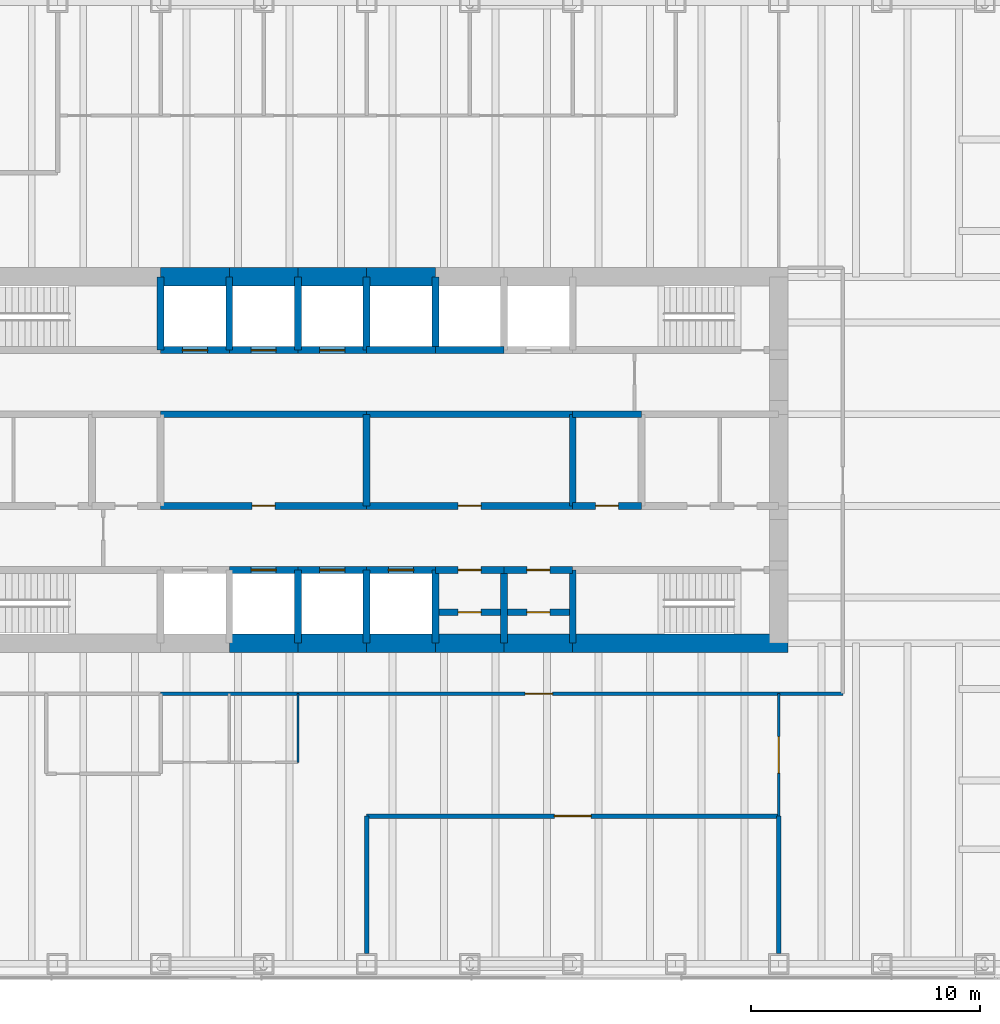
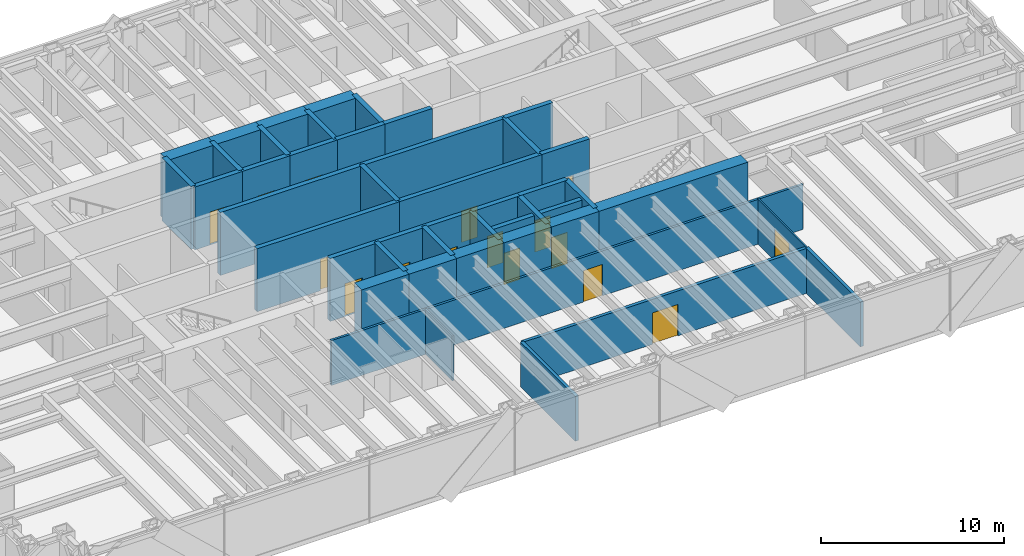
# One storey, part 12 of 15: 46 walls, 16 doors, 16 openings.
"""IFC4 building model written with IfcOpenShell, lengths in metres."""

from ifc_helpers import new_model, si_unit, direction, frame, frame_2d, origin, place, context, subcontext, project, spatial, rectangle, extrude, material, layer, layer_set, type_object, element, fill, save


model = new_model("IFC4")

# Units and contexts
model_context = context("Model", 3, precision=1e-05, world=origin(), true_north=direction((0.0, 1.0)))
body_context = subcontext(model_context, "Body", "Model", "MODEL_VIEW")
ifc_project = project(units=[si_unit("LENGTHUNIT", "METRE"), si_unit("AREAUNIT", "SQUARE_METRE"), si_unit("VOLUMEUNIT", "CUBIC_METRE"), si_unit("PLANEANGLEUNIT", "RADIAN"), si_unit("MASSUNIT", "GRAM", prefix="KILO")], contexts=[model_context])

# Site, building, storey
site_placement = place(None, origin())
site = spatial("IfcSite", under=ifc_project, at=site_placement, CompositionType="ELEMENT")
building_placement = place(site_placement, origin())
building = spatial("IfcBuilding", under=site, at=building_placement, Name="Rheinbord Bourse Tower", CompositionType="ELEMENT")
storey_placement = place(building_placement, frame((0.0, 0.0, 236.199951171875)))
storey = spatial("IfcBuildingStorey", under=building, at=storey_placement, Name="L53", CompositionType="ELEMENT", Elevation=236.199951171875)

# Wall, opening, door
ifc_material_1 = material(Name="Acoustic gypsum board partition", Category="gypsum board")
ifc_layer_1 = layer(ifc_material_1, 0.199951171875)
ifc_layer_set_1 = layer_set([ifc_layer_1], Name="ACOUSTIC PARTITION 200")
wall_type_1 = type_object("IfcWallType", Name="ACOUSTIC PARTITION 200", PredefinedType="PARTITIONING", material=ifc_layer_set_1)
wall_1_placement = place(storey_placement, frame((36.0, 8.449951171875, 0.0), z_axis=(0.0, 0.0, 1.0), x_axis=(1.0, 0.0, 0.0)))
wall_1 = element("IfcWall", 1, at=wall_1_placement, inside=storey, type_object=wall_type_1, Name="Partition L53-01", PredefinedType="PARTITIONING", context=body_context, shape_type="SweptSolid", body=[
    extrude(rectangle(XDim=18.0, YDim=0.199951171875, at=frame_2d((9.0, 0.0))), origin(), (0.0, 0.0, 1.0), 3.0),
])
opening_1_placement = place(wall_1_placement, frame((8.199951171875, 0.0, 0.0)))
opening_1 = element("IfcOpeningElement", 2, at=opening_1_placement, cuts=wall_1, Name="Opening 53D01", PredefinedType="OPENING", context=body_context, shape_type="SweptSolid", body=[
    extrude(rectangle(XDim=1.60009765625, YDim=2.10009765625, at=frame_2d((0.800048828125, 1.050048828125))), frame((0.0, 0.10986328125, 0.0), z_axis=(0.0, -1.0, 0.0), x_axis=(1.0, 0.0, 0.0)), (0.0, 0.0, 1.0), 0.219970703125),
])
ifc_material_2 = material(Name="Timber door", Category="wood")
door_type_1 = type_object("IfcDoorType", Name="DOUBLE ROOM DOOR 1600", OperationType="DOUBLE_DOOR_DOUBLE_SWING", PredefinedType="DOOR", material=ifc_material_2)
door_1_placement = place(opening_1_placement, origin())
door_1 = element("IfcDoor", 3, at=door_1_placement, inside=storey, type_object=door_type_1, Name="Dealing room door L53", OperationType="SINGLE_SWING_LEFT", OverallHeight=2.10009765625, OverallWidth=1.60009765625, PredefinedType="DOOR", context=body_context, shape_type="SweptSolid", body=[
    extrude(rectangle(XDim=1.60009765625, YDim=2.10009765625, at=frame_2d((0.800048828125, 1.050048828125))), frame((0.0, 0.02490234375, 0.0), z_axis=(0.0, -1.0, 0.0), x_axis=(1.0, 0.0, 0.0)), (0.0, 0.0, 1.0), 0.050048828125),
])
fill(opening_1, door_1)

# Walls
for number, where, z_axis, x_axis, name in (
    (4, (36.0, 2.449951171875, 0.0), (0.0, 0.0, 1.0), (0.0, 1.0, 0.0), "Partition L53-32"),
    (5, (54.0, 2.449951171875, 0.0), (0.0, 0.0, 1.0), (0.0, 1.0, 0.0), "Partition L53-37"),
):
    element("IfcWall", number, at=place(storey_placement, frame(where, z_axis=z_axis, x_axis=x_axis)), inside=storey, type_object=wall_type_1, Name=name, PredefinedType="PARTITIONING", context=body_context, shape_type="SweptSolid", body=[
        extrude(rectangle(XDim=6.0, YDim=0.199951171875, at=frame_2d((3.0, 0.0))), origin(), (0.0, 0.0, 1.0), 3.0),
    ])

# Wall, opening, door
ifc_material_3 = material(Name="Concrete C50/60", Category="concrete")
ifc_layer_2 = layer(ifc_material_3, 0.300048828125)
ifc_layer_set_2 = layer_set([ifc_layer_2], Name="CORE INNER WALL 300")
wall_type_2 = type_object("IfcWallType", Name="CORE INNER WALL 300", PredefinedType="SOLIDWALL", material=ifc_layer_set_2)
wall_2_placement = place(storey_placement, frame((30.0, 19.199951171875, 0.0), z_axis=(0.0, 0.0, 1.0), x_axis=(1.0, 0.0, 0.0)))
wall_2 = element("IfcWall", 6, at=wall_2_placement, inside=storey, type_object=wall_type_2, Name="Core wall A3 L53", PredefinedType="SOLIDWALL", context=body_context, shape_type="SweptSolid", body=[
    extrude(rectangle(XDim=3.0, YDim=0.300048828125, at=frame_2d((1.5, 0.0))), origin(), (0.0, 0.0, 1.0), 4.199951171875),
])
opening_2_placement = place(wall_2_placement, frame((0.949951171875, 0.0, 0.0)))
opening_2 = element("IfcOpeningElement", 7, at=opening_2_placement, cuts=wall_2, Name="Opening PC1", PredefinedType="OPENING", context=body_context, shape_type="SweptSolid", body=[
    extrude(rectangle(XDim=1.10009765625, YDim=2.199951171875, at=frame_2d((0.550048828125, 1.10009765625))), frame((0.0, 0.159912109375, 0.0), z_axis=(0.0, -1.0, 0.0), x_axis=(1.0, 0.0, 0.0)), (0.0, 0.0, 1.0), 0.320068359375),
])
ifc_material_4 = material(Name="Steel landing door", Category="steel")
door_type_2 = type_object("IfcDoorType", Name="LIFT LANDING DOOR 1100", OperationType="DOUBLE_DOOR_SLIDING", PredefinedType="USERDEFINED", material=ifc_material_4)
door_2_placement = place(opening_2_placement, origin())
door_2 = element("IfcDoor", 8, at=door_2_placement, inside=storey, type_object=door_type_2, Name="Lift landing door PC1 L53", ObjectType="LIFT LANDING DOOR", OperationType="DOUBLE_DOOR_SLIDING", OverallHeight=2.199951171875, OverallWidth=1.10009765625, PredefinedType="USERDEFINED", context=body_context, shape_type="SweptSolid", body=[
    extrude(rectangle(XDim=1.10009765625, YDim=2.199951171875, at=frame_2d((0.550048828125, 1.10009765625))), frame((0.0, 0.02490234375, 0.0), z_axis=(0.0, -1.0, 0.0), x_axis=(1.0, 0.0, 0.0)), (0.0, 0.0, 1.0), 0.050048828125),
])
fill(opening_2, door_2)

wall_3_placement = place(storey_placement, frame((33.0, 19.199951171875, 0.0), z_axis=(0.0, 0.0, 1.0), x_axis=(1.0, 0.0, 0.0)))
wall_3 = element("IfcWall", 9, at=wall_3_placement, inside=storey, type_object=wall_type_2, Name="Core wall A4 L53", PredefinedType="SOLIDWALL", context=body_context, shape_type="SweptSolid", body=[
    extrude(rectangle(XDim=3.0, YDim=0.300048828125, at=frame_2d((1.5, 0.0))), origin(), (0.0, 0.0, 1.0), 4.199951171875),
])
opening_3_placement = place(wall_3_placement, frame((0.949951171875, 0.0, 0.0)))
opening_3 = element("IfcOpeningElement", 10, at=opening_3_placement, cuts=wall_3, Name="Opening PC2", PredefinedType="OPENING", context=body_context, shape_type="SweptSolid", body=[
    extrude(rectangle(XDim=1.10009765625, YDim=2.199951171875, at=frame_2d((0.550048828125, 1.10009765625))), frame((0.0, 0.159912109375, 0.0), z_axis=(0.0, -1.0, 0.0), x_axis=(1.0, 0.0, 0.0)), (0.0, 0.0, 1.0), 0.320068359375),
])
door_3_placement = place(opening_3_placement, origin())
door_3 = element("IfcDoor", 11, at=door_3_placement, inside=storey, type_object=door_type_2, Name="Lift landing door PC2 L53", ObjectType="LIFT LANDING DOOR", OperationType="DOUBLE_DOOR_SLIDING", OverallHeight=2.199951171875, OverallWidth=1.10009765625, PredefinedType="USERDEFINED", context=body_context, shape_type="SweptSolid", body=[
    extrude(rectangle(XDim=1.10009765625, YDim=2.199951171875, at=frame_2d((0.550048828125, 1.10009765625))), frame((0.0, 0.02490234375, 0.0), z_axis=(0.0, -1.0, 0.0), x_axis=(1.0, 0.0, 0.0)), (0.0, 0.0, 1.0), 0.050048828125),
])
fill(opening_3, door_3)

wall_4_placement = place(storey_placement, frame((36.0, 19.199951171875, 0.0), z_axis=(0.0, 0.0, 1.0), x_axis=(1.0, 0.0, 0.0)))
wall_4 = element("IfcWall", 12, at=wall_4_placement, inside=storey, type_object=wall_type_2, Name="Core wall A5 L53", PredefinedType="SOLIDWALL", context=body_context, shape_type="SweptSolid", body=[
    extrude(rectangle(XDim=3.0, YDim=0.300048828125, at=frame_2d((1.5, 0.0))), origin(), (0.0, 0.0, 1.0), 4.199951171875),
])
opening_4_placement = place(wall_4_placement, frame((0.949951171875, 0.0, 0.0)))
opening_4 = element("IfcOpeningElement", 13, at=opening_4_placement, cuts=wall_4, Name="Opening PC3", PredefinedType="OPENING", context=body_context, shape_type="SweptSolid", body=[
    extrude(rectangle(XDim=1.10009765625, YDim=2.199951171875, at=frame_2d((0.550048828125, 1.10009765625))), frame((0.0, 0.159912109375, 0.0), z_axis=(0.0, -1.0, 0.0), x_axis=(1.0, 0.0, 0.0)), (0.0, 0.0, 1.0), 0.320068359375),
])
door_4_placement = place(opening_4_placement, origin())
door_4 = element("IfcDoor", 14, at=door_4_placement, inside=storey, type_object=door_type_2, Name="Lift landing door PC3 L53", ObjectType="LIFT LANDING DOOR", OperationType="DOUBLE_DOOR_SLIDING", OverallHeight=2.199951171875, OverallWidth=1.10009765625, PredefinedType="USERDEFINED", context=body_context, shape_type="SweptSolid", body=[
    extrude(rectangle(XDim=1.10009765625, YDim=2.199951171875, at=frame_2d((0.550048828125, 1.10009765625))), frame((0.0, 0.02490234375, 0.0), z_axis=(0.0, -1.0, 0.0), x_axis=(1.0, 0.0, 0.0)), (0.0, 0.0, 1.0), 0.050048828125),
])
fill(opening_4, door_4)

wall_5_placement = place(storey_placement, frame((39.0, 19.199951171875, 0.0), z_axis=(0.0, 0.0, 1.0), x_axis=(1.0, 0.0, 0.0)))
wall_5 = element("IfcWall", 15, at=wall_5_placement, inside=storey, type_object=wall_type_2, Name="Core wall A6 L53", PredefinedType="SOLIDWALL", context=body_context, shape_type="SweptSolid", body=[
    extrude(rectangle(XDim=3.0, YDim=0.300048828125, at=frame_2d((1.5, 0.0))), origin(), (0.0, 0.0, 1.0), 4.199951171875),
])
opening_5_placement = place(wall_5_placement, frame((1.0, 0.0, 0.0)))
opening_5 = element("IfcOpeningElement", 16, at=opening_5_placement, cuts=wall_5, Name="Opening 53R8", PredefinedType="OPENING", context=body_context, shape_type="SweptSolid", body=[
    extrude(rectangle(XDim=1.0, YDim=2.10009765625, at=frame_2d((0.5, 1.050048828125))), frame((0.0, 0.159912109375, 0.0), z_axis=(0.0, -1.0, 0.0), x_axis=(1.0, 0.0, 0.0)), (0.0, 0.0, 1.0), 0.320068359375),
])
ifc_material_5 = material(Name="Steel door", Category="steel")
door_type_3 = type_object("IfcDoorType", Name="DOOR 1000 EI30", OperationType="SINGLE_SWING_LEFT", PredefinedType="DOOR", material=ifc_material_5)
door_5_placement = place(opening_5_placement, origin())
door_5 = element("IfcDoor", 17, at=door_5_placement, inside=storey, type_object=door_type_3, Name="Stationery store door L53", OperationType="SINGLE_SWING_LEFT", OverallHeight=2.10009765625, OverallWidth=1.0, PredefinedType="DOOR", context=body_context, shape_type="SweptSolid", body=[
    extrude(rectangle(XDim=1.0, YDim=2.10009765625, at=frame_2d((0.5, 1.050048828125))), frame((0.0, 0.02490234375, 0.0), z_axis=(0.0, -1.0, 0.0), x_axis=(1.0, 0.0, 0.0)), (0.0, 0.0, 1.0), 0.050048828125),
])
fill(opening_5, door_5)

wall_6_placement = place(storey_placement, frame((42.0, 19.199951171875, 0.0), z_axis=(0.0, 0.0, 1.0), x_axis=(1.0, 0.0, 0.0)))
wall_6 = element("IfcWall", 18, at=wall_6_placement, inside=storey, type_object=wall_type_2, Name="Core wall A7 L53", PredefinedType="SOLIDWALL", context=body_context, shape_type="SweptSolid", body=[
    extrude(rectangle(XDim=3.0, YDim=0.300048828125, at=frame_2d((1.5, 0.0))), origin(), (0.0, 0.0, 1.0), 4.199951171875),
])
opening_6_placement = place(wall_6_placement, frame((1.0, 0.0, 0.0)))
opening_6 = element("IfcOpeningElement", 19, at=opening_6_placement, cuts=wall_6, Name="Opening 53R9", PredefinedType="OPENING", context=body_context, shape_type="SweptSolid", body=[
    extrude(rectangle(XDim=1.0, YDim=2.10009765625, at=frame_2d((0.5, 1.050048828125))), frame((0.0, 0.159912109375, 0.0), z_axis=(0.0, -1.0, 0.0), x_axis=(1.0, 0.0, 0.0)), (0.0, 0.0, 1.0), 0.320068359375),
])
door_6_placement = place(opening_6_placement, origin())
door_6 = element("IfcDoor", 20, at=door_6_placement, inside=storey, type_object=door_type_3, Name="Supplies store door L53", OperationType="SINGLE_SWING_LEFT", OverallHeight=2.10009765625, OverallWidth=1.0, PredefinedType="DOOR", context=body_context, shape_type="SweptSolid", body=[
    extrude(rectangle(XDim=1.0, YDim=2.10009765625, at=frame_2d((0.5, 1.050048828125))), frame((0.0, 0.02490234375, 0.0), z_axis=(0.0, -1.0, 0.0), x_axis=(1.0, 0.0, 0.0)), (0.0, 0.0, 1.0), 0.050048828125),
])
fill(opening_6, door_6)

wall_7_placement = place(storey_placement, frame((27.0, 28.800048828125, 0.0), z_axis=(0.0, 0.0, 1.0), x_axis=(1.0, 0.0, 0.0)))
wall_7 = element("IfcWall", 21, at=wall_7_placement, inside=storey, type_object=wall_type_2, Name="Core wall B2 L53", PredefinedType="SOLIDWALL", context=body_context, shape_type="SweptSolid", body=[
    extrude(rectangle(XDim=3.0, YDim=0.300048828125, at=frame_2d((1.5, 0.0))), origin(), (0.0, 0.0, 1.0), 4.199951171875),
])
opening_7_placement = place(wall_7_placement, frame((0.949951171875, 0.0, 0.0)))
opening_7 = element("IfcOpeningElement", 22, at=opening_7_placement, cuts=wall_7, Name="Opening GL1", PredefinedType="OPENING", context=body_context, shape_type="SweptSolid", body=[
    extrude(rectangle(XDim=1.10009765625, YDim=2.199951171875, at=frame_2d((0.550048828125, 1.10009765625))), frame((0.0, 0.159912109375, 0.0), z_axis=(0.0, -1.0, 0.0), x_axis=(1.0, 0.0, 0.0)), (0.0, 0.0, 1.0), 0.320068359375),
])
door_7_placement = place(opening_7_placement, origin())
door_7 = element("IfcDoor", 23, at=door_7_placement, inside=storey, type_object=door_type_2, Name="Lift landing door GL1 L53", ObjectType="LIFT LANDING DOOR", OperationType="DOUBLE_DOOR_SLIDING", OverallHeight=2.199951171875, OverallWidth=1.10009765625, PredefinedType="USERDEFINED", context=body_context, shape_type="SweptSolid", body=[
    extrude(rectangle(XDim=1.10009765625, YDim=2.199951171875, at=frame_2d((0.550048828125, 1.10009765625))), frame((0.0, 0.02490234375, 0.0), z_axis=(0.0, -1.0, 0.0), x_axis=(1.0, 0.0, 0.0)), (0.0, 0.0, 1.0), 0.050048828125),
])
fill(opening_7, door_7)

wall_8_placement = place(storey_placement, frame((30.0, 28.800048828125, 0.0), z_axis=(0.0, 0.0, 1.0), x_axis=(1.0, 0.0, 0.0)))
wall_8 = element("IfcWall", 24, at=wall_8_placement, inside=storey, type_object=wall_type_2, Name="Core wall B3 L53", PredefinedType="SOLIDWALL", context=body_context, shape_type="SweptSolid", body=[
    extrude(rectangle(XDim=3.0, YDim=0.300048828125, at=frame_2d((1.5, 0.0))), origin(), (0.0, 0.0, 1.0), 4.199951171875),
])
opening_8_placement = place(wall_8_placement, frame((0.949951171875, 0.0, 0.0)))
opening_8 = element("IfcOpeningElement", 25, at=opening_8_placement, cuts=wall_8, Name="Opening PC4", PredefinedType="OPENING", context=body_context, shape_type="SweptSolid", body=[
    extrude(rectangle(XDim=1.10009765625, YDim=2.199951171875, at=frame_2d((0.550048828125, 1.10009765625))), frame((0.0, 0.159912109375, 0.0), z_axis=(0.0, -1.0, 0.0), x_axis=(1.0, 0.0, 0.0)), (0.0, 0.0, 1.0), 0.320068359375),
])
door_8_placement = place(opening_8_placement, origin())
door_8 = element("IfcDoor", 26, at=door_8_placement, inside=storey, type_object=door_type_2, Name="Lift landing door PC4 L53", ObjectType="LIFT LANDING DOOR", OperationType="DOUBLE_DOOR_SLIDING", OverallHeight=2.199951171875, OverallWidth=1.10009765625, PredefinedType="USERDEFINED", context=body_context, shape_type="SweptSolid", body=[
    extrude(rectangle(XDim=1.10009765625, YDim=2.199951171875, at=frame_2d((0.550048828125, 1.10009765625))), frame((0.0, 0.02490234375, 0.0), z_axis=(0.0, -1.0, 0.0), x_axis=(1.0, 0.0, 0.0)), (0.0, 0.0, 1.0), 0.050048828125),
])
fill(opening_8, door_8)

wall_9_placement = place(storey_placement, frame((33.0, 28.800048828125, 0.0), z_axis=(0.0, 0.0, 1.0), x_axis=(1.0, 0.0, 0.0)))
wall_9 = element("IfcWall", 27, at=wall_9_placement, inside=storey, type_object=wall_type_2, Name="Core wall B4 L53", PredefinedType="SOLIDWALL", context=body_context, shape_type="SweptSolid", body=[
    extrude(rectangle(XDim=3.0, YDim=0.300048828125, at=frame_2d((1.5, 0.0))), origin(), (0.0, 0.0, 1.0), 4.199951171875),
])
opening_9_placement = place(wall_9_placement, frame((0.949951171875, 0.0, 0.0)))
opening_9 = element("IfcOpeningElement", 28, at=opening_9_placement, cuts=wall_9, Name="Opening PC5", PredefinedType="OPENING", context=body_context, shape_type="SweptSolid", body=[
    extrude(rectangle(XDim=1.10009765625, YDim=2.199951171875, at=frame_2d((0.550048828125, 1.10009765625))), frame((0.0, 0.159912109375, 0.0), z_axis=(0.0, -1.0, 0.0), x_axis=(1.0, 0.0, 0.0)), (0.0, 0.0, 1.0), 0.320068359375),
])
door_9_placement = place(opening_9_placement, origin())
door_9 = element("IfcDoor", 29, at=door_9_placement, inside=storey, type_object=door_type_2, Name="Lift landing door PC5 L53", ObjectType="LIFT LANDING DOOR", OperationType="DOUBLE_DOOR_SLIDING", OverallHeight=2.199951171875, OverallWidth=1.10009765625, PredefinedType="USERDEFINED", context=body_context, shape_type="SweptSolid", body=[
    extrude(rectangle(XDim=1.10009765625, YDim=2.199951171875, at=frame_2d((0.550048828125, 1.10009765625))), frame((0.0, 0.02490234375, 0.0), z_axis=(0.0, -1.0, 0.0), x_axis=(1.0, 0.0, 0.0)), (0.0, 0.0, 1.0), 0.050048828125),
])
fill(opening_9, door_9)

# Walls
for number, where, z_axis, x_axis, name in (
    (30, (36.0, 28.800048828125, 0.0), (0.0, 0.0, 1.0), (1.0, 0.0, 0.0), "Core wall B5 L53"),
    (31, (39.0, 28.800048828125, 0.0), (0.0, 0.0, 1.0), (1.0, 0.0, 0.0), "Core wall B6 L53"),
):
    element("IfcWall", number, at=place(storey_placement, frame(where, z_axis=z_axis, x_axis=x_axis)), inside=storey, type_object=wall_type_2, Name=name, PredefinedType="SOLIDWALL", context=body_context, shape_type="SweptSolid", body=[
        extrude(rectangle(XDim=3.0, YDim=0.300048828125, at=frame_2d((1.5, 0.0))), origin(), (0.0, 0.0, 1.0), 4.199951171875),
    ])

# Wall, opening, door
wall_10_placement = place(storey_placement, frame((27.0, 22.0, 0.0), z_axis=(0.0, 0.0, 1.0), x_axis=(1.0, 0.0, 0.0)))
wall_10 = element("IfcWall", 32, at=wall_10_placement, inside=storey, type_object=wall_type_2, Name="Core wall C3 L53", PredefinedType="SOLIDWALL", context=body_context, shape_type="SweptSolid", body=[
    extrude(rectangle(XDim=9.0, YDim=0.300048828125, at=frame_2d((4.5, 0.0))), origin(), (0.0, 0.0, 1.0), 4.199951171875),
])
opening_10_placement = place(wall_10_placement, frame((4.0, 0.0, 0.0)))
opening_10 = element("IfcOpeningElement", 33, at=opening_10_placement, cuts=wall_10, Name="Opening 53R3", PredefinedType="OPENING", context=body_context, shape_type="SweptSolid", body=[
    extrude(rectangle(XDim=1.0, YDim=2.10009765625, at=frame_2d((0.5, 1.050048828125))), frame((0.0, 0.159912109375, 0.0), z_axis=(0.0, -1.0, 0.0), x_axis=(1.0, 0.0, 0.0)), (0.0, 0.0, 1.0), 0.320068359375),
])
door_10_placement = place(opening_10_placement, origin())
door_10 = element("IfcDoor", 34, at=door_10_placement, inside=storey, type_object=door_type_3, Name="Riser door L53", OperationType="SINGLE_SWING_LEFT", OverallHeight=2.10009765625, OverallWidth=1.0, PredefinedType="DOOR", context=body_context, shape_type="SweptSolid", body=[
    extrude(rectangle(XDim=1.0, YDim=2.10009765625, at=frame_2d((0.5, 1.050048828125))), frame((0.0, 0.02490234375, 0.0), z_axis=(0.0, -1.0, 0.0), x_axis=(1.0, 0.0, 0.0)), (0.0, 0.0, 1.0), 0.050048828125),
])
fill(opening_10, door_10)

wall_11_placement = place(storey_placement, frame((36.0, 22.0, 0.0), z_axis=(0.0, 0.0, 1.0), x_axis=(1.0, 0.0, 0.0)))
wall_11 = element("IfcWall", 35, at=wall_11_placement, inside=storey, type_object=wall_type_2, Name="Core wall C4 L53", PredefinedType="SOLIDWALL", context=body_context, shape_type="SweptSolid", body=[
    extrude(rectangle(XDim=9.0, YDim=0.300048828125, at=frame_2d((4.5, 0.0))), origin(), (0.0, 0.0, 1.0), 4.199951171875),
])
opening_11_placement = place(wall_11_placement, frame((4.0, 0.0, 0.0)))
opening_11 = element("IfcOpeningElement", 36, at=opening_11_placement, cuts=wall_11, Name="Opening 53R4", PredefinedType="OPENING", context=body_context, shape_type="SweptSolid", body=[
    extrude(rectangle(XDim=1.0, YDim=2.10009765625, at=frame_2d((0.5, 1.050048828125))), frame((0.0, 0.159912109375, 0.0), z_axis=(0.0, -1.0, 0.0), x_axis=(1.0, 0.0, 0.0)), (0.0, 0.0, 1.0), 0.320068359375),
])
door_11_placement = place(opening_11_placement, origin())
door_11 = element("IfcDoor", 37, at=door_11_placement, inside=storey, type_object=door_type_3, Name="Store door L53", OperationType="SINGLE_SWING_LEFT", OverallHeight=2.10009765625, OverallWidth=1.0, PredefinedType="DOOR", context=body_context, shape_type="SweptSolid", body=[
    extrude(rectangle(XDim=1.0, YDim=2.10009765625, at=frame_2d((0.5, 1.050048828125))), frame((0.0, 0.02490234375, 0.0), z_axis=(0.0, -1.0, 0.0), x_axis=(1.0, 0.0, 0.0)), (0.0, 0.0, 1.0), 0.050048828125),
])
fill(opening_11, door_11)

wall_12_placement = place(storey_placement, frame((45.0, 22.0, 0.0), z_axis=(0.0, 0.0, 1.0), x_axis=(1.0, 0.0, 0.0)))
wall_12 = element("IfcWall", 38, at=wall_12_placement, inside=storey, type_object=wall_type_2, Name="Core wall C5 L53", PredefinedType="SOLIDWALL", context=body_context, shape_type="SweptSolid", body=[
    extrude(rectangle(XDim=3.0, YDim=0.300048828125, at=frame_2d((1.5, 0.0))), origin(), (0.0, 0.0, 1.0), 4.199951171875),
])
opening_12_placement = place(wall_12_placement, frame((1.0, 0.0, 0.0)))
opening_12 = element("IfcOpeningElement", 39, at=opening_12_placement, cuts=wall_12, Name="Opening 53R5", PredefinedType="OPENING", context=body_context, shape_type="SweptSolid", body=[
    extrude(rectangle(XDim=1.0, YDim=2.10009765625, at=frame_2d((0.5, 1.050048828125))), frame((0.0, 0.159912109375, 0.0), z_axis=(0.0, -1.0, 0.0), x_axis=(1.0, 0.0, 0.0)), (0.0, 0.0, 1.0), 0.320068359375),
])
ifc_material_6 = material(Name="Timber door", Category="wood")
door_type_4 = type_object("IfcDoorType", Name="DOOR 1000 WC", OperationType="SINGLE_SWING_LEFT", PredefinedType="DOOR", material=ifc_material_6)
door_12_placement = place(opening_12_placement, origin())
door_12 = element("IfcDoor", 40, at=door_12_placement, inside=storey, type_object=door_type_4, Name="Accessible WC door L53", OperationType="SINGLE_SWING_LEFT", OverallHeight=2.10009765625, OverallWidth=1.0, PredefinedType="DOOR", context=body_context, shape_type="SweptSolid", body=[
    extrude(rectangle(XDim=1.0, YDim=2.10009765625, at=frame_2d((0.5, 1.050048828125))), frame((0.0, 0.02490234375, 0.0), z_axis=(0.0, -1.0, 0.0), x_axis=(1.0, 0.0, 0.0)), (0.0, 0.0, 1.0), 0.050048828125),
])
fill(opening_12, door_12)

# Walls
for number, where, z_axis, x_axis, name in (
    (41, (27.0, 26.0, 0.0), (0.0, 0.0, 1.0), (1.0, 0.0, 0.0), "Core wall D3 L53"),
    (42, (36.0, 26.0, 0.0), (0.0, 0.0, 1.0), (1.0, 0.0, 0.0), "Core wall D4 L53"),
):
    element("IfcWall", number, at=place(storey_placement, frame(where, z_axis=z_axis, x_axis=x_axis)), inside=storey, type_object=wall_type_2, Name=name, PredefinedType="SOLIDWALL", context=body_context, shape_type="SweptSolid", body=[
        extrude(rectangle(XDim=9.0, YDim=0.300048828125, at=frame_2d((4.5, 0.0))), origin(), (0.0, 0.0, 1.0), 4.199951171875),
    ])
wall_13_placement = place(storey_placement, frame((45.0, 26.0, 0.0), z_axis=(0.0, 0.0, 1.0), x_axis=(1.0, 0.0, 0.0)))
element("IfcWall", 43, at=wall_13_placement, inside=storey, type_object=wall_type_2, Name="Core wall D5 L53", PredefinedType="SOLIDWALL", context=body_context, shape_type="SweptSolid", body=[
    extrude(rectangle(XDim=3.0, YDim=0.300048828125, at=frame_2d((1.5, 0.0))), origin(), (0.0, 0.0, 1.0), 4.199951171875),
])
for number, where, z_axis, x_axis, name in (
    (44, (27.0, 28.800048828125, 0.0), (0.0, 0.0, 1.0), (0.0, 1.0, 0.0), "Core wall NX27 L53"),
    (45, (30.0, 28.800048828125, 0.0), (0.0, 0.0, 1.0), (0.0, 1.0, 0.0), "Core wall NX30 L53"),
    (46, (33.0, 16.0, 0.0), (0.0, 0.0, 1.0), (0.0, 1.0, 0.0), "Core wall SX33 L53"),
    (47, (33.0, 28.800048828125, 0.0), (0.0, 0.0, 1.0), (0.0, 1.0, 0.0), "Core wall NX33 L53"),
    (48, (36.0, 16.0, 0.0), (0.0, 0.0, 1.0), (0.0, 1.0, 0.0), "Core wall SX36 L53"),
    (49, (36.0, 28.800048828125, 0.0), (0.0, 0.0, 1.0), (0.0, 1.0, 0.0), "Core wall NX36 L53"),
    (50, (39.0, 16.0, 0.0), (0.0, 0.0, 1.0), (0.0, 1.0, 0.0), "Core wall SX39 L53"),
    (51, (39.0, 28.800048828125, 0.0), (0.0, 0.0, 1.0), (0.0, 1.0, 0.0), "Core wall NX39 L53"),
    (52, (42.0, 16.0, 0.0), (0.0, 0.0, 1.0), (0.0, 1.0, 0.0), "Core wall SX42 L53"),
    (53, (45.0, 16.0, 0.0), (0.0, 0.0, 1.0), (0.0, 1.0, 0.0), "Core wall SX45 L53"),
):
    element("IfcWall", number, at=place(storey_placement, frame(where, z_axis=z_axis, x_axis=x_axis)), inside=storey, type_object=wall_type_2, Name=name, PredefinedType="SOLIDWALL", context=body_context, shape_type="SweptSolid", body=[
        extrude(rectangle(XDim=3.199951171875, YDim=0.300048828125, at=frame_2d((1.60009765625, 0.0))), origin(), (0.0, 0.0, 1.0), 4.199951171875),
    ])
for number, where, z_axis, x_axis, name in (
    (54, (36.0, 22.0, 0.0), (0.0, 0.0, 1.0), (0.0, 1.0, 0.0), "Core wall MX36 L53"),
    (55, (45.0, 22.0, 0.0), (0.0, 0.0, 1.0), (0.0, 1.0, 0.0), "Core wall MX45 L53"),
):
    element("IfcWall", number, at=place(storey_placement, frame(where, z_axis=z_axis, x_axis=x_axis)), inside=storey, type_object=wall_type_2, Name=name, PredefinedType="SOLIDWALL", context=body_context, shape_type="SweptSolid", body=[
        extrude(rectangle(XDim=4.0, YDim=0.300048828125, at=frame_2d((2.0, 0.0))), origin(), (0.0, 0.0, 1.0), 4.199951171875),
    ])

# Wall, opening, door
wall_14_placement = place(storey_placement, frame((39.14990234375, 17.35009765625, 0.0), z_axis=(0.0, 0.0, 1.0), x_axis=(1.0, 0.0, 0.0)))
wall_14 = element("IfcWall", 56, at=wall_14_placement, inside=storey, type_object=wall_type_2, Name="Core riser wall L53-6", PredefinedType="SOLIDWALL", context=body_context, shape_type="SweptSolid", body=[
    extrude(rectangle(XDim=2.7001953125, YDim=0.300048828125, at=frame_2d((1.35009765625, 0.0))), origin(), (0.0, 0.0, 1.0), 4.0400390625),
])
opening_13_placement = place(wall_14_placement, frame((0.85009765625, 0.0, 0.0)))
opening_13 = element("IfcOpeningElement", 57, at=opening_13_placement, cuts=wall_14, Name="Opening 53R12", PredefinedType="OPENING", context=body_context, shape_type="SweptSolid", body=[
    extrude(rectangle(XDim=1.0, YDim=2.10009765625, at=frame_2d((0.5, 1.050048828125))), frame((0.0, 0.159912109375, 0.0), z_axis=(0.0, -1.0, 0.0), x_axis=(1.0, 0.0, 0.0)), (0.0, 0.0, 1.0), 0.320068359375),
])
door_13_placement = place(opening_13_placement, origin())
door_13 = element("IfcDoor", 58, at=door_13_placement, inside=storey, type_object=door_type_3, Name="Comms riser door L53", OperationType="SINGLE_SWING_LEFT", OverallHeight=2.10009765625, OverallWidth=1.0, PredefinedType="DOOR", context=body_context, shape_type="SweptSolid", body=[
    extrude(rectangle(XDim=1.0, YDim=2.10009765625, at=frame_2d((0.5, 1.050048828125))), frame((0.0, 0.02490234375, 0.0), z_axis=(0.0, -1.0, 0.0), x_axis=(1.0, 0.0, 0.0)), (0.0, 0.0, 1.0), 0.050048828125),
])
fill(opening_13, door_13)

wall_15_placement = place(storey_placement, frame((42.14990234375, 17.35009765625, 0.0), z_axis=(0.0, 0.0, 1.0), x_axis=(1.0, 0.0, 0.0)))
wall_15 = element("IfcWall", 59, at=wall_15_placement, inside=storey, type_object=wall_type_2, Name="Core riser wall L53-7", PredefinedType="SOLIDWALL", context=body_context, shape_type="SweptSolid", body=[
    extrude(rectangle(XDim=2.7001953125, YDim=0.300048828125, at=frame_2d((1.35009765625, 0.0))), origin(), (0.0, 0.0, 1.0), 4.0400390625),
])
opening_14_placement = place(wall_15_placement, frame((0.85009765625, 0.0, 0.0)))
opening_14 = element("IfcOpeningElement", 60, at=opening_14_placement, cuts=wall_15, Name="Opening 53R13", PredefinedType="OPENING", context=body_context, shape_type="SweptSolid", body=[
    extrude(rectangle(XDim=1.0, YDim=2.10009765625, at=frame_2d((0.5, 1.050048828125))), frame((0.0, 0.159912109375, 0.0), z_axis=(0.0, -1.0, 0.0), x_axis=(1.0, 0.0, 0.0)), (0.0, 0.0, 1.0), 0.320068359375),
])
door_14_placement = place(opening_14_placement, origin())
door_14 = element("IfcDoor", 61, at=door_14_placement, inside=storey, type_object=door_type_3, Name="Electrical riser door L53", OperationType="SINGLE_SWING_LEFT", OverallHeight=2.10009765625, OverallWidth=1.0, PredefinedType="DOOR", context=body_context, shape_type="SweptSolid", body=[
    extrude(rectangle(XDim=1.0, YDim=2.10009765625, at=frame_2d((0.5, 1.050048828125))), frame((0.0, 0.02490234375, 0.0), z_axis=(0.0, -1.0, 0.0), x_axis=(1.0, 0.0, 0.0)), (0.0, 0.0, 1.0), 0.050048828125),
])
fill(opening_14, door_14)

# Walls
ifc_material_7 = material(Name="Concrete C50/60", Category="concrete")
ifc_layer_3 = layer(ifc_material_7, 0.800048828125)
ifc_layer_set_3 = layer_set([ifc_layer_3], Name="CORE WALL 800")
wall_type_3 = type_object("IfcWallType", Name="CORE WALL 800", PredefinedType="SHEAR", material=ifc_layer_set_3)
for number, where, z_axis, x_axis, name in (
    (62, (30.0, 16.0, 0.0), (0.0, 0.0, 1.0), (1.0, 0.0, 0.0), "Core wall S3 L53"),
    (63, (33.0, 16.0, 0.0), (0.0, 0.0, 1.0), (1.0, 0.0, 0.0), "Core wall S4 L53"),
    (64, (36.0, 16.0, 0.0), (0.0, 0.0, 1.0), (1.0, 0.0, 0.0), "Core wall S5 L53"),
    (65, (39.0, 16.0, 0.0), (0.0, 0.0, 1.0), (1.0, 0.0, 0.0), "Core wall S6 L53"),
    (66, (42.0, 16.0, 0.0), (0.0, 0.0, 1.0), (1.0, 0.0, 0.0), "Core wall S7 L53"),
):
    element("IfcWall", number, at=place(storey_placement, frame(where, z_axis=z_axis, x_axis=x_axis)), inside=storey, type_object=wall_type_3, Name=name, PredefinedType="SHEAR", context=body_context, shape_type="SweptSolid", body=[
        extrude(rectangle(XDim=3.0, YDim=0.800048828125, at=frame_2d((1.5, 0.0))), origin(), (0.0, 0.0, 1.0), 4.199951171875),
    ])
wall_16_placement = place(storey_placement, frame((45.0, 16.0, 0.0), z_axis=(0.0, 0.0, 1.0), x_axis=(1.0, 0.0, 0.0)))
element("IfcWall", 67, at=wall_16_placement, inside=storey, type_object=wall_type_3, Name="Core wall S8 L53", PredefinedType="SHEAR", context=body_context, shape_type="SweptSolid", body=[
    extrude(rectangle(XDim=9.39990234375, YDim=0.800048828125, at=frame_2d((4.699951171875, 0.0))), origin(), (0.0, 0.0, 1.0), 4.199951171875),
])
for number, where, z_axis, x_axis, name in (
    (68, (39.0, 32.0, 0.0), (0.0, 0.0, 1.0), (-1.0, 0.0, 0.0), "Core wall N4 L53"),
    (69, (36.0, 32.0, 0.0), (0.0, 0.0, 1.0), (-1.0, 0.0, 0.0), "Core wall N5 L53"),
    (70, (33.0, 32.0, 0.0), (0.0, 0.0, 1.0), (-1.0, 0.0, 0.0), "Core wall N6 L53"),
    (71, (30.0, 32.0, 0.0), (0.0, 0.0, 1.0), (-1.0, 0.0, 0.0), "Core wall N7 L53"),
):
    element("IfcWall", number, at=place(storey_placement, frame(where, z_axis=z_axis, x_axis=x_axis)), inside=storey, type_object=wall_type_3, Name=name, PredefinedType="SHEAR", context=body_context, shape_type="SweptSolid", body=[
        extrude(rectangle(XDim=3.0, YDim=0.800048828125, at=frame_2d((1.5, 0.0))), origin(), (0.0, 0.0, 1.0), 4.199951171875),
    ])

# Wall, opening, door
ifc_material_8 = material(Name="Gypsum board corridor partition", Category="gypsum board")
ifc_layer_4 = layer(ifc_material_8, 0.14990234375)
ifc_layer_set_4 = layer_set([ifc_layer_4], Name="CORRIDOR PARTITION 150 EI30")
wall_type_4 = type_object("IfcWallType", Name="CORRIDOR PARTITION 150 EI30", PredefinedType="PARTITIONING", material=ifc_layer_set_4)
wall_17_placement = place(storey_placement, frame((27.0, 13.800048828125, 0.0), z_axis=(0.0, 0.0, 1.0), x_axis=(1.0, 0.0, 0.0)))
wall_17 = element("IfcWall", 72, at=wall_17_placement, inside=storey, type_object=wall_type_4, Name="Partition L53-08", PredefinedType="PARTITIONING", context=body_context, shape_type="SweptSolid", body=[
    extrude(rectangle(XDim=29.800048828125, YDim=0.14990234375, at=frame_2d((14.89990234375, 0.0))), origin(), (0.0, 0.0, 1.0), 3.0),
])
opening_15_placement = place(wall_17_placement, frame((15.925048828125, 0.0, 0.0)))
opening_15 = element("IfcOpeningElement", 73, at=opening_15_placement, cuts=wall_17, Name="Opening 53D22", PredefinedType="OPENING", context=body_context, shape_type="SweptSolid", body=[
    extrude(rectangle(XDim=1.199951171875, YDim=2.10009765625, at=frame_2d((0.60009765625, 1.050048828125))), frame((0.0, 0.0849609375, 0.0), z_axis=(0.0, -1.0, 0.0), x_axis=(1.0, 0.0, 0.0)), (0.0, 0.0, 1.0), 0.169921875),
])
ifc_material_9 = material(Name="Timber fire door", Category="wood")
door_type_5 = type_object("IfcDoorType", Name="SUITE ENTRANCE DOOR 1200 EI30", OperationType="SINGLE_SWING_LEFT", PredefinedType="DOOR", material=ifc_material_9)
door_15_placement = place(opening_15_placement, origin())
door_15 = element("IfcDoor", 74, at=door_15_placement, inside=storey, type_object=door_type_5, Name="Suite entrance 3 door L53", OperationType="SINGLE_SWING_RIGHT", OverallHeight=2.10009765625, OverallWidth=1.199951171875, PredefinedType="DOOR", context=body_context, shape_type="SweptSolid", body=[
    extrude(rectangle(XDim=1.199951171875, YDim=2.10009765625, at=frame_2d((0.60009765625, 1.050048828125))), frame((0.0, 0.02490234375, 0.0), z_axis=(0.0, -1.0, 0.0), x_axis=(1.0, 0.0, 0.0)), (0.0, 0.0, 1.0), 0.050048828125),
])
fill(opening_15, door_15)

# Wall
ifc_material_10 = material(Name="Toughened laminated glass partition", Category="glass")
ifc_layer_5 = layer(ifc_material_10, 0.10009765625)
ifc_layer_set_5 = layer_set([ifc_layer_5], Name="GLAZED PARTITION 100")
wall_type_5 = type_object("IfcWallType", Name="GLAZED PARTITION 100", PredefinedType="PARTITIONING", material=ifc_layer_set_5)
wall_18_placement = place(storey_placement, frame((33.0, 10.800048828125, 0.0), z_axis=(0.0, 0.0, 1.0), x_axis=(0.0, 1.0, 0.0)))
element("IfcWall", 75, at=wall_18_placement, inside=storey, type_object=wall_type_5, Name="Partition L53-31", PredefinedType="PARTITIONING", context=body_context, shape_type="SweptSolid", body=[
    extrude(rectangle(XDim=3.0, YDim=0.10009765625, at=frame_2d((1.5, 0.0))), origin(), (0.0, 0.0, 1.0), 3.0),
])

# Wall, opening, door
wall_19_placement = place(storey_placement, frame((54.0, 8.449951171875, 0.0), z_axis=(0.0, 0.0, 1.0), x_axis=(0.0, 1.0, 0.0)))
wall_19 = element("IfcWall", 76, at=wall_19_placement, inside=storey, type_object=wall_type_5, Name="Partition L53-38", PredefinedType="PARTITIONING", context=body_context, shape_type="SweptSolid", body=[
    extrude(rectangle(XDim=5.35009765625, YDim=0.10009765625, at=frame_2d((2.675048828125, 0.0))), origin(), (0.0, 0.0, 1.0), 3.0),
])
opening_16_placement = place(wall_19_placement, frame((1.875, 0.0, 0.0)))
opening_16 = element("IfcOpeningElement", 77, at=opening_16_placement, cuts=wall_19, Name="Opening 53D18", PredefinedType="OPENING", context=body_context, shape_type="SweptSolid", body=[
    extrude(rectangle(XDim=1.60009765625, YDim=2.10009765625, at=frame_2d((0.800048828125, 1.050048828125))), frame((0.0, 0.06005859375, 0.0), z_axis=(0.0, -1.0, 0.0), x_axis=(1.0, 0.0, 0.0)), (0.0, 0.0, 1.0), 0.1201171875),
])
door_16_placement = place(opening_16_placement, origin())
door_16 = element("IfcDoor", 78, at=door_16_placement, inside=storey, type_object=door_type_1, Name="Open area door L53", OperationType="SINGLE_SWING_LEFT", OverallHeight=2.10009765625, OverallWidth=1.60009765625, PredefinedType="DOOR", context=body_context, shape_type="SweptSolid", body=[
    extrude(rectangle(XDim=1.60009765625, YDim=2.10009765625, at=frame_2d((0.800048828125, 1.050048828125))), frame((0.0, 0.02490234375, 0.0), z_axis=(0.0, -1.0, 0.0), x_axis=(1.0, 0.0, 0.0)), (0.0, 0.0, 1.0), 0.050048828125),
])
fill(opening_16, door_16)

save(model, "model.ifc")
